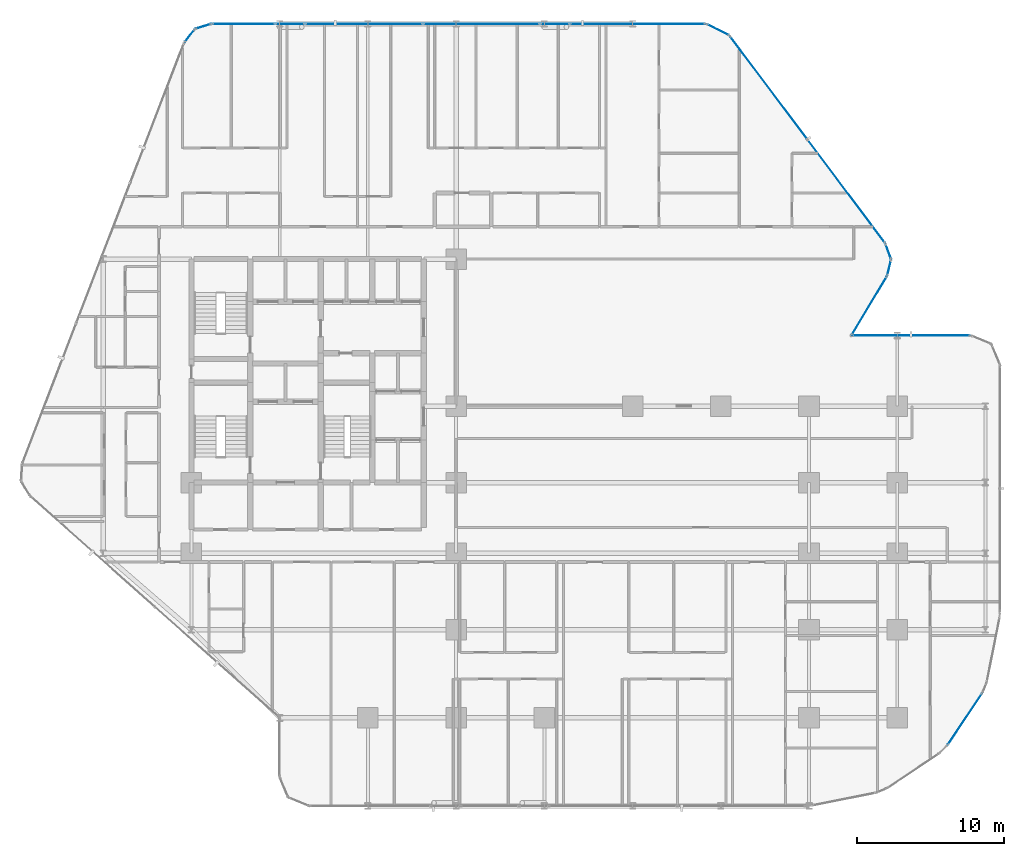
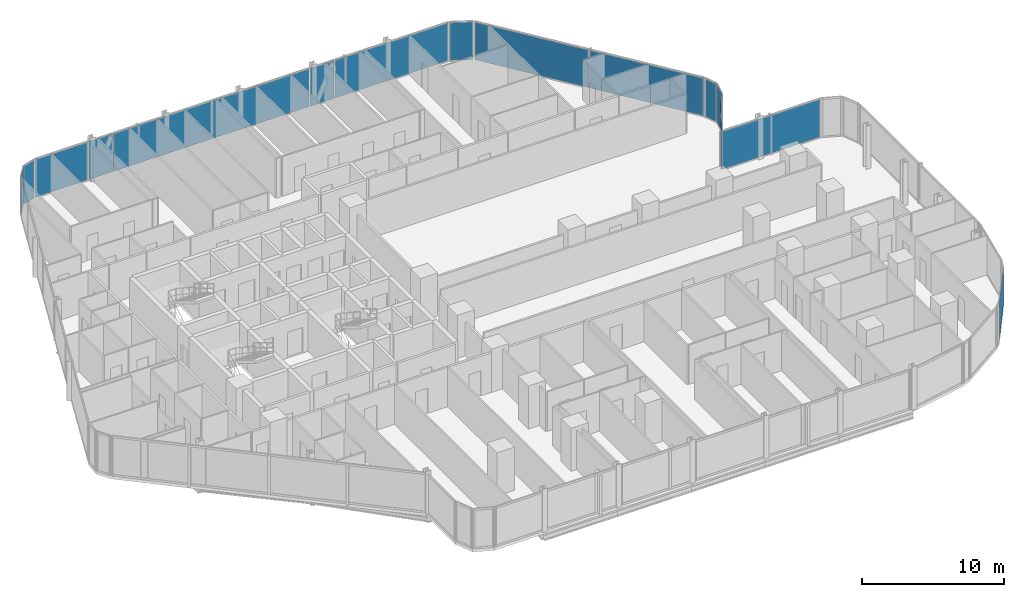
# One storey, part 24 of 34: 16 plates, 14 elements without a shape of their own.
"""IFC4 building model written with IfcOpenShell, lengths in metres."""

import ifcopenshell
import ifcopenshell.guid

model = None  # the IFC model being written
_history = None  # IfcOwnerHistory: only IFC2X3 demands one
_inside = {}  # id of a spatial element -> (the spatial element, [elements in it])
_under = {}  # id of a project, library or spatial element -> (it, [spatial elements below it])
_declared = {}  # id of a project -> (the project, [libraries it declares])
_typed = {}  # id of a type object -> (the type object, [elements of that type])
_made_of = {}  # id of a material, layer set ... -> (it, [elements and type objects made of it])


def new_model(schema):
    """Start an empty IFC model of exactly this schema.

    Asked for "IFC4X3", IfcOpenShell would pick the latest addendum, in which some entities
    have other attributes; the version numbers below select the first issue.
    IFC2X3 requires an IfcOwnerHistory on every rooted entity: one is made here for all.
    """
    global model, _history
    if schema == "IFC4X3":
        model = ifcopenshell.file(schema_version=(4, 3, 0, 0))
    else:
        model = ifcopenshell.file(schema=schema)
    _inside.clear()
    _under.clear()
    _declared.clear()
    _typed.clear()
    _made_of.clear()
    _history = None
    if model.schema == "IFC2X3":
        org = make("IfcOrganization", Name="unknown")
        user = make(
            "IfcPersonAndOrganization",
            ThePerson=make("IfcPerson", FamilyName="unknown"),
            TheOrganization=org,
        )
        app = make(
            "IfcApplication",
            ApplicationDeveloper=org,
            Version="unknown",
            ApplicationFullName="unknown",
            ApplicationIdentifier="unknown",
        )
        _history = make(
            "IfcOwnerHistory",
            OwningUser=user,
            OwningApplication=app,
            ChangeAction="ADDED",
            CreationDate=0,
        )
    return model


def make(cls, **values):
    """One entity of the class cls with the attributes given. An attribute that is None is left unset."""
    return model.create_entity(
        cls, **{name: value for name, value in values.items() if value is not None}
    )


def rooted(cls, **values):
    """An entity with a GlobalId (a new one), such as an element, a storey or a relation."""
    return make(cls, GlobalId=ifcopenshell.guid.new(), OwnerHistory=_history, **values)


def si_unit(unit_type, name, prefix=None):
    """IfcSIUnit, for example si_unit("LENGTHUNIT", "METRE", prefix="MILLI")."""
    return make("IfcSIUnit", UnitType=unit_type, Prefix=prefix, Name=name)


def assignment(units):
    """IfcUnitAssignment: the units of a project."""
    return None if units is None else make("IfcUnitAssignment", Units=units)


def point(xyz):
    """IfcCartesianPoint."""
    return None if xyz is None else make("IfcCartesianPoint", Coordinates=xyz)


def direction(xyz):
    """IfcDirection."""
    return None if xyz is None else make("IfcDirection", DirectionRatios=xyz)


def frame(location, z_axis=None, x_axis=None):
    """IfcAxis2Placement3D, a coordinate frame: its origin and axes. An axis left out is left unset."""
    return make(
        "IfcAxis2Placement3D",
        Location=point(location),
        Axis=direction(z_axis),
        RefDirection=direction(x_axis),
    )


def frame_2d(location, x_axis=None):
    """IfcAxis2Placement2D, a coordinate frame in the plane: its origin and x axis."""
    return make(
        "IfcAxis2Placement2D", Location=point(location), RefDirection=direction(x_axis)
    )


def origin():
    """The frame at (0, 0, 0) with its axes left unset."""
    return frame((0.0, 0.0, 0.0))


def origin_2d():
    """The frame at (0, 0) in the plane with its x axis left unset."""
    return frame_2d((0.0, 0.0))


def place(relative_to, where):
    """IfcLocalPlacement: puts the frame where relative to a parent placement (None: the world)."""
    return make(
        "IfcLocalPlacement", PlacementRelTo=relative_to, RelativePlacement=where
    )


def context(
    kind, dimensions, precision=None, world=None, true_north=None, identifier=None
):
    """IfcGeometricRepresentationContext, for example the 3D "Model" context."""
    return make(
        "IfcGeometricRepresentationContext",
        ContextIdentifier=identifier,
        ContextType=kind,
        CoordinateSpaceDimension=dimensions,
        Precision=precision,
        WorldCoordinateSystem=world,
        TrueNorth=true_north,
    )


def subcontext(parent, identifier, kind, view, scale=None):
    """IfcGeometricRepresentationSubContext, for example "Body" below "Model"."""
    return make(
        "IfcGeometricRepresentationSubContext",
        ContextIdentifier=identifier,
        ContextType=kind,
        ParentContext=parent,
        TargetScale=scale,
        TargetView=view,
    )


def project(units=None, contexts=None):
    """IfcProject with its units and contexts."""
    return rooted(
        "IfcProject",
        Name="project",
        RepresentationContexts=contexts,
        UnitsInContext=assignment(units),
    )


def spatial(cls, under=None, at=None, **own):
    """A site, building, storey or space (cls), placed at a placement, below another one or the project."""
    s = rooted(cls, ObjectPlacement=at, **own)
    if under is not None:
        _under.setdefault(under.id(), (under, []))[1].append(s)
    return s


def profile(cls, at=None, kind="AREA", **sizes):
    """A parametric profile (cls). Its sizes go by their IFC names, for example OverallWidth=200.0."""
    return make(cls, ProfileType=kind, Position=at, **sizes)


def rectangle(**sizes):
    """IfcRectangleProfileDef."""
    return profile("IfcRectangleProfileDef", **sizes)


def extrude(swept, where, along, depth):
    """IfcExtrudedAreaSolid: the profile swept, set in the frame where, extruded along a direction by depth."""
    return make(
        "IfcExtrudedAreaSolid",
        SweptArea=swept,
        Position=where,
        ExtrudedDirection=direction(along),
        Depth=depth,
    )


def shape(context_of_items, identifier, shape_type, items):
    """IfcShapeRepresentation: the items that make up one representation, for example the "Body"."""
    return make(
        "IfcShapeRepresentation",
        ContextOfItems=context_of_items,
        RepresentationIdentifier=identifier,
        RepresentationType=shape_type,
        Items=items,
    )


def material(Name=None, Category=None):
    """IfcMaterial."""
    return make("IfcMaterial", Name=Name, Category=Category)


def layer(
    of_material, thickness, ventilated=None, Name=None, Category=None, Priority=None
):
    """IfcMaterialLayer: one layer of a wall or slab, of a material (None: an air gap)."""
    return make(
        "IfcMaterialLayer",
        Material=of_material,
        LayerThickness=thickness,
        IsVentilated=ventilated,
        Name=Name,
        Category=Category,
        Priority=Priority,
    )


def layer_set(layers, Name=None):
    """IfcMaterialLayerSet."""
    return make("IfcMaterialLayerSet", MaterialLayers=layers, LayerSetName=Name)


def made_of(thing, what):
    """Note that an element or type object is made of a material, layer set ...; save() writes the relation."""
    if what is not None:
        _made_of.setdefault(what.id(), (what, []))[1].append(thing)
    return thing


def type_object(cls, material=None, **own):
    """A type object (cls), such as IfcWallType, which elements share."""
    return made_of(rooted(cls, **own), material)


def element(
    cls,
    number,
    at=None,
    inside=None,
    cuts=None,
    type_object=None,
    material=None,
    context=None,
    identifier="Body",
    shape_type=None,
    held_by="IfcProductDefinitionShape",
    body=None,
    shapes=None,
    **own,
):
    """One element of the class cls, such as IfcWall. Its Tag is "e" and its number.

    at: its placement. inside: the storey or other place that contains it. cuts: it is an
    opening in that element (IfcRelVoidsElement). A single representation is given by context,
    identifier, shape_type and body (its items); several are given by shapes. held_by: the class
    of the entity that holds the representations. save() writes the other relations.
    """
    e = rooted(cls, Tag="e%d" % number, ObjectPlacement=at, **own)
    if body is not None:
        shapes = [shape(context, identifier, shape_type, body)]
    if shapes is not None:
        e.Representation = make(held_by, Representations=shapes)
    if inside is not None:
        _inside.setdefault(inside.id(), (inside, []))[1].append(e)
    if cuts is not None:
        rooted(
            "IfcRelVoidsElement", RelatingBuildingElement=cuts, RelatedOpeningElement=e
        )
    if type_object is not None:
        _typed.setdefault(type_object.id(), (type_object, []))[1].append(e)
    return made_of(e, material)


def aggregate(whole, parts):
    """IfcRelAggregates: a whole, such as a stair, and the parts it consists of."""
    return rooted("IfcRelAggregates", RelatingObject=whole, RelatedObjects=parts)


def save(model, path):
    """Write the relations noted so far, then the file.

    IfcRelAggregates (storeys below a building ...), IfcRelContainedInSpatialStructure (elements
    in a storey), IfcRelDefinesByType, IfcRelAssociatesMaterial and IfcRelDeclares: one each for
    every whole, place, type object, material and project.
    """
    for whole, parts in _under.values():
        aggregate(whole, parts)
    for where, things in _inside.values():
        rooted(
            "IfcRelContainedInSpatialStructure",
            RelatedElements=things,
            RelatingStructure=where,
        )
    for kind, things in _typed.values():
        rooted("IfcRelDefinesByType", RelatedObjects=things, RelatingType=kind)
    for what, things in _made_of.values():
        rooted("IfcRelAssociatesMaterial", RelatedObjects=things, RelatingMaterial=what)
    for by, libraries in _declared.values():
        rooted("IfcRelDeclares", RelatingContext=by, RelatedDefinitions=libraries)
    model.write(path)


model = new_model("IFC4")

# Units and contexts
model_context = context("Model", 3, precision=1e-05, world=origin(), true_north=direction((0.0, 1.0)))
body_context = subcontext(model_context, "Body", "Model", "MODEL_VIEW")
ifc_project = project(units=[si_unit("LENGTHUNIT", "METRE"), si_unit("AREAUNIT", "SQUARE_METRE"), si_unit("VOLUMEUNIT", "CUBIC_METRE"), si_unit("PLANEANGLEUNIT", "RADIAN"), si_unit("MASSUNIT", "GRAM", prefix="KILO")], contexts=[model_context])

# Site, building, storey
site_placement = place(None, origin())
site = spatial("IfcSite", under=ifc_project, at=site_placement, CompositionType="ELEMENT")
building_placement = place(site_placement, origin())
building = spatial("IfcBuilding", under=site, at=building_placement, Name="Keshet Zoharim Tower", CompositionType="ELEMENT")
storey_placement = place(building_placement, frame((0.0, 0.0, 46.199951171875)))
storey = spatial("IfcBuildingStorey", under=building, at=storey_placement, Name="L10", CompositionType="ELEMENT", Elevation=46.199951171875)

# Curtain wall, plate
ifc_material_1 = material(Name="Aluminium 6063-T6", Category="aluminium")
ifc_layer_1 = layer(ifc_material_1, 0.179931640625)
ifc_layer_set_1 = layer_set([ifc_layer_1], Name="Aluminium 6063-T6")
curtain_wall_type_1 = type_object("IfcCurtainWallType", Name="CW-SYS-01", PredefinedType="NOTDEFINED", material=ifc_layer_set_1)
curtain_wall_1_placement = place(storey_placement, origin())
curtain_wall_1 = element("IfcCurtainWall", 1, at=curtain_wall_1_placement, inside=storey, type_object=curtain_wall_type_1, Name="L10 Unitised Curtain Wall 05", PredefinedType="NOTDEFINED")
ifc_material_2 = material(Name="Insulated Low-E Clear Glass", Category="glass")
ifc_layer_2 = layer(ifc_material_2, 0.035888671875)
ifc_layer_set_2 = layer_set([ifc_layer_2], Name="Insulated Low-E Clear Glass")
plate_type_1 = type_object("IfcPlateType", Name="CWP-01", PredefinedType="CURTAIN_PANEL", material=ifc_layer_set_2)
plate_1_placement = place(storey_placement, frame((14.8740234375, 53.08349609375, 0.070068359375), z_axis=(0.0, 0.0, 1.0), x_axis=(0.619124525989, 0.785292825205, 0.0)))
plate_1 = element("IfcPlate", 2, at=plate_1_placement, type_object=plate_type_1, Name="CW-01 panel 1.1", PredefinedType="CURTAIN_PANEL", context=body_context, shape_type="SweptSolid", body=[
    extrude(rectangle(XDim=1.045654296875, YDim=0.035888671875, at=origin_2d()), origin(), (0.0, 0.0, 1.0), 3.2451171875),
])
aggregate(curtain_wall_1, [plate_1])

curtain_wall_2_placement = place(storey_placement, origin())
curtain_wall_2 = element("IfcCurtainWall", 3, at=curtain_wall_2_placement, inside=storey, type_object=curtain_wall_type_1, Name="L10 Unitised Curtain Wall 06", PredefinedType="NOTDEFINED")
plate_2_placement = place(storey_placement, frame((15.8076171875, 53.724609375, 0.070068359375), z_axis=(0.0, 0.0, 1.0), x_axis=(0.955212151288, 0.295921857984, 0.0)))
plate_2 = element("IfcPlate", 4, at=plate_2_placement, type_object=plate_type_1, Name="CW-01 panel 1.1", PredefinedType="CURTAIN_PANEL", context=body_context, shape_type="SweptSolid", body=[
    extrude(rectangle(XDim=1.046142578125, YDim=0.035888671875, at=origin_2d()), origin(), (0.0, 0.0, 1.0), 3.2451171875),
])
aggregate(curtain_wall_2, [plate_2])

curtain_wall_3_placement = place(storey_placement, origin())
curtain_wall_3 = element("IfcCurtainWall", 5, at=curtain_wall_3_placement, inside=storey, type_object=curtain_wall_type_1, Name="L10 Unitised Curtain Wall 12", PredefinedType="NOTDEFINED")
plate_3_placement = place(storey_placement, frame((61.093994140625, 34.723388671875, 0.070068359375), z_axis=(0.0, 0.0, 1.0), x_axis=(-0.51446459506, -0.857511621163, 0.0)))
plate_3 = element("IfcPlate", 6, at=plate_3_placement, type_object=plate_type_1, Name="CW-01 panel 1.1", PredefinedType="CURTAIN_PANEL", context=body_context, shape_type="SweptSolid", body=[
    extrude(rectangle(XDim=4.57958984375, YDim=0.035888671875, at=origin_2d()), origin(), (0.0, 0.0, 1.0), 3.2451171875),
])
aggregate(curtain_wall_3, [plate_3])

curtain_wall_4_placement = place(storey_placement, origin())
curtain_wall_4 = element("IfcCurtainWall", 7, at=curtain_wall_4_placement, inside=storey, type_object=curtain_wall_type_1, Name="L10 Unitised Curtain Wall 20", PredefinedType="NOTDEFINED")
plate_4_placement = place(storey_placement, frame((67.60107421875, 6.615966796875, 0.070068359375), z_axis=(0.0, 0.0, 1.0), x_axis=(-0.555563243758, -0.831474282335, 0.0)))
plate_4 = element("IfcPlate", 8, at=plate_4_placement, type_object=plate_type_1, Name="CW-01 panel 1.1", PredefinedType="CURTAIN_PANEL", context=body_context, shape_type="SweptSolid", body=[
    extrude(rectangle(XDim=4.13671875, YDim=0.035888671875, at=origin_2d()), origin(), (0.0, 0.0, 1.0), 3.2451171875),
])
aggregate(curtain_wall_4, [plate_4])

ifc_layer_3 = layer(ifc_material_1, 0.169921875)
ifc_layer_set_3 = layer_set([ifc_layer_3], Name="Aluminium 6063-T6")
curtain_wall_type_2 = type_object("IfcCurtainWallType", Name="CW-SYS-02", PredefinedType="NOTDEFINED", material=ifc_layer_set_3)
curtain_wall_5_placement = place(storey_placement, origin())
curtain_wall_5 = element("IfcCurtainWall", 9, at=curtain_wall_5_placement, inside=storey, type_object=curtain_wall_type_2, Name="L10 Unitised Curtain Wall 07", PredefinedType="NOTDEFINED")
ifc_layer_4 = layer(ifc_material_2, 0.031982421875)
ifc_layer_set_4 = layer_set([ifc_layer_4], Name="Insulated Low-E Clear Glass")
plate_type_2 = type_object("IfcPlateType", Name="CWP-02", PredefinedType="CURTAIN_PANEL", material=ifc_layer_set_4)
plate_5_placement = place(storey_placement, frame((18.5556640625, 53.89990234375, 0.070068359375), z_axis=(0.0, 0.0, 1.0), x_axis=(1.0, 0.0, 0.0)))
plate_5 = element("IfcPlate", 10, at=plate_5_placement, type_object=plate_type_2, Name="CW-02 panel 1.1", PredefinedType="CURTAIN_PANEL", context=body_context, shape_type="SweptSolid", body=[
    extrude(rectangle(XDim=4.223388671875, YDim=0.031982421875, at=origin_2d()), origin(), (0.0, 0.0, 1.0), 3.2451171875),
])
aggregate(curtain_wall_5, [plate_5])

# Curtain wall, plates
curtain_wall_6_placement = place(storey_placement, origin())
curtain_wall_6 = element("IfcCurtainWall", 11, at=curtain_wall_6_placement, inside=storey, type_object=curtain_wall_type_2, Name="L10 Unitised Curtain Wall 07 Part 3", PredefinedType="NOTDEFINED")
plate_6_placement = place(storey_placement, frame((26.73876953125, 53.89990234375, 0.070068359375), z_axis=(0.0, 0.0, 1.0), x_axis=(1.0, 0.0, 0.0)))
plate_6 = element("IfcPlate", 12, at=plate_6_placement, type_object=plate_type_2, Name="CW-02 panel 1.1", PredefinedType="CURTAIN_PANEL", context=body_context, shape_type="SweptSolid", body=[
    extrude(rectangle(XDim=7.952392578125, YDim=0.031982421875, at=origin_2d()), origin(), (0.0, 0.0, 1.0), 3.2451171875),
])
plate_7_placement = place(storey_placement, frame((34.726318359375, 53.89990234375, 0.070068359375), z_axis=(0.0, 0.0, 1.0), x_axis=(1.0, 0.0, 0.0)))
plate_7 = element("IfcPlate", 13, at=plate_7_placement, type_object=plate_type_2, Name="CW-02 panel 2.1", PredefinedType="CURTAIN_PANEL", context=body_context, shape_type="SweptSolid", body=[
    extrude(rectangle(XDim=7.88232421875, YDim=0.031982421875, at=origin_2d()), origin(), (0.0, 0.0, 1.0), 3.2451171875),
])
aggregate(curtain_wall_6, [plate_6, plate_7])

# Curtain wall, plate
curtain_wall_7_placement = place(storey_placement, origin())
curtain_wall_7 = element("IfcCurtainWall", 14, at=curtain_wall_7_placement, inside=storey, type_object=curtain_wall_type_2, Name="L10 Unitised Curtain Wall 07 Part 5", PredefinedType="NOTDEFINED")
plate_8_placement = place(storey_placement, frame((45.34619140625, 53.89990234375, 0.070068359375), z_axis=(0.0, 0.0, 1.0), x_axis=(1.0, 0.0, 0.0)))
plate_8 = element("IfcPlate", 15, at=plate_8_placement, type_object=plate_type_2, Name="CW-02 panel 1.1", PredefinedType="CURTAIN_PANEL", context=body_context, shape_type="SweptSolid", body=[
    extrude(rectangle(XDim=9.16748046875, YDim=0.031982421875, at=origin_2d()), origin(), (0.0, 0.0, 1.0), 3.2451171875),
])
aggregate(curtain_wall_7, [plate_8])

curtain_wall_8_placement = place(storey_placement, origin())
curtain_wall_8 = element("IfcCurtainWall", 16, at=curtain_wall_8_placement, inside=storey, type_object=curtain_wall_type_2, Name="L10 Unitised Curtain Wall 08", PredefinedType="NOTDEFINED")
plate_9_placement = place(storey_placement, frame((50.800048828125, 53.5, 0.070068359375), z_axis=(0.0, 0.0, 1.0), x_axis=(0.894427191001, -0.447213595499, 0.0)))
plate_9 = element("IfcPlate", 17, at=plate_9_placement, type_object=plate_type_2, Name="CW-02 panel 1.1", PredefinedType="CURTAIN_PANEL", context=body_context, shape_type="SweptSolid", body=[
    extrude(rectangle(XDim=1.64892578125, YDim=0.031982421875, at=origin_2d()), origin(), (0.0, 0.0, 1.0), 3.2451171875),
])
aggregate(curtain_wall_8, [plate_9])

# Curtain wall, plates
curtain_wall_9_placement = place(storey_placement, origin())
curtain_wall_9 = element("IfcCurtainWall", 18, at=curtain_wall_9_placement, inside=storey, type_object=curtain_wall_type_2, Name="L10 Unitised Curtain Wall 09", PredefinedType="NOTDEFINED")
plate_10_placement = place(storey_placement, frame((54.2587890625, 49.554931640625, 0.070068359375), z_axis=(0.0, 0.0, 1.0), x_axis=(0.600000000002, -0.799999999998, 0.0)))
plate_10 = element("IfcPlate", 19, at=plate_10_placement, type_object=plate_type_2, Name="CW-02 panel 1.1", PredefinedType="CURTAIN_PANEL", context=body_context, shape_type="SweptSolid", body=[
    extrude(rectangle(XDim=8.722412109375, YDim=0.031982421875, at=origin_2d()), origin(), (0.0, 0.0, 1.0), 3.2451171875),
])
plate_11_placement = place(storey_placement, frame((59.5341796875, 42.52099609375, 0.070068359375), z_axis=(0.0, 0.0, 1.0), x_axis=(0.600000000002, -0.799999999998, 0.0)))
plate_11 = element("IfcPlate", 20, at=plate_11_placement, type_object=plate_type_2, Name="CW-02 panel 2.1", PredefinedType="CURTAIN_PANEL", context=body_context, shape_type="SweptSolid", body=[
    extrude(rectangle(XDim=8.722412109375, YDim=0.031982421875, at=origin_2d()), origin(), (0.0, 0.0, 1.0), 3.2451171875),
])
aggregate(curtain_wall_9, [plate_10, plate_11])

# Curtain wall, plate
curtain_wall_10_placement = place(storey_placement, origin())
curtain_wall_10 = element("IfcCurtainWall", 21, at=curtain_wall_10_placement, inside=storey, type_object=curtain_wall_type_2, Name="L10 Unitised Curtain Wall 10", PredefinedType="NOTDEFINED")
plate_12_placement = place(storey_placement, frame((62.3916015625, 38.427490234375, 0.070068359375), z_axis=(0.0, 0.0, 1.0), x_axis=(0.340297354046, -0.940317877544, 0.0)))
plate_12 = element("IfcPlate", 22, at=plate_12_placement, type_object=plate_type_2, Name="CW-02 panel 1.1", PredefinedType="CURTAIN_PANEL", context=body_context, shape_type="SweptSolid", body=[
    extrude(rectangle(XDim=1.026611328125, YDim=0.031982421875, at=origin_2d()), origin(), (0.0, 0.0, 1.0), 3.2451171875),
])
aggregate(curtain_wall_10, [plate_12])

curtain_wall_11_placement = place(storey_placement, origin())
curtain_wall_11 = element("IfcCurtainWall", 23, at=curtain_wall_11_placement, inside=storey, type_object=curtain_wall_type_2, Name="L10 Unitised Curtain Wall 11", PredefinedType="NOTDEFINED")
plate_13_placement = place(storey_placement, frame((62.448974609375, 37.31298828125, 0.070068359375), z_axis=(0.0, 0.0, 1.0), x_axis=(-0.241728770141, -0.970343857447, 0.0)))
plate_13 = element("IfcPlate", 24, at=plate_13_placement, type_object=plate_type_2, Name="CW-02 panel 1.1", PredefinedType="CURTAIN_PANEL", context=body_context, shape_type="SweptSolid", body=[
    extrude(rectangle(XDim=1.026611328125, YDim=0.031982421875, at=origin_2d()), origin(), (0.0, 0.0, 1.0), 3.2451171875),
])
aggregate(curtain_wall_11, [plate_13])

curtain_wall_12_placement = place(storey_placement, origin())
curtain_wall_12 = element("IfcCurtainWall", 25, at=curtain_wall_12_placement, inside=storey, type_object=curtain_wall_type_2, Name="L10 Unitised Curtain Wall 13", PredefinedType="NOTDEFINED")
plate_14_placement = place(storey_placement, frame((63.93994140625, 32.699951171875, 0.070068359375), z_axis=(0.0, 0.0, 1.0), x_axis=(1.0, 0.0, 0.0)))
plate_14 = element("IfcPlate", 26, at=plate_14_placement, type_object=plate_type_2, Name="CW-02 panel 1.1", PredefinedType="CURTAIN_PANEL", context=body_context, shape_type="SweptSolid", body=[
    extrude(rectangle(XDim=7.97998046875, YDim=0.031982421875, at=origin_2d()), origin(), (0.0, 0.0, 1.0), 3.2451171875),
])
aggregate(curtain_wall_12, [plate_14])

curtain_wall_13_placement = place(storey_placement, origin())
curtain_wall_13 = element("IfcCurtainWall", 27, at=curtain_wall_13_placement, inside=storey, type_object=curtain_wall_type_2, Name="L10 Unitised Curtain Wall 07 Part 2", PredefinedType="NOTDEFINED")
ifc_material_3 = material(Name="Insulated Aluminium Spandrel Panel", Category="aluminium")
ifc_layer_5 = layer(ifc_material_3, 0.031982421875)
ifc_layer_set_5 = layer_set([ifc_layer_5], Name="Insulated Aluminium Spandrel Panel")
plate_type_3 = type_object("IfcPlateType", Name="CWP-05", PredefinedType="CURTAIN_PANEL", material=ifc_layer_set_5)
plate_15_placement = place(storey_placement, frame((21.715087890625, 53.89990234375, 0.070068359375), z_axis=(0.0, 0.0, 1.0), x_axis=(1.0, 0.0, 0.0)))
plate_15 = element("IfcPlate", 28, at=plate_15_placement, type_object=plate_type_3, Name="CW-02 spandrel panel 1.1", PredefinedType="CURTAIN_PANEL", context=body_context, shape_type="SweptSolid", body=[
    extrude(rectangle(XDim=1.955078125, YDim=0.031982421875, at=origin_2d()), origin(), (0.0, 0.0, 1.0), 3.2451171875),
])
aggregate(curtain_wall_13, [plate_15])

curtain_wall_14_placement = place(storey_placement, origin())
curtain_wall_14 = element("IfcCurtainWall", 29, at=curtain_wall_14_placement, inside=storey, type_object=curtain_wall_type_2, Name="L10 Unitised Curtain Wall 07 Part 4", PredefinedType="NOTDEFINED")
plate_16_placement = place(storey_placement, frame((39.715087890625, 53.89990234375, 0.070068359375), z_axis=(0.0, 0.0, 1.0), x_axis=(1.0, 0.0, 0.0)))
plate_16 = element("IfcPlate", 30, at=plate_16_placement, type_object=plate_type_3, Name="CW-02 spandrel panel 1.1", PredefinedType="CURTAIN_PANEL", context=body_context, shape_type="SweptSolid", body=[
    extrude(rectangle(XDim=1.955078125, YDim=0.031982421875, at=origin_2d()), origin(), (0.0, 0.0, 1.0), 3.2451171875),
])
aggregate(curtain_wall_14, [plate_16])

save(model, "model.ifc")
